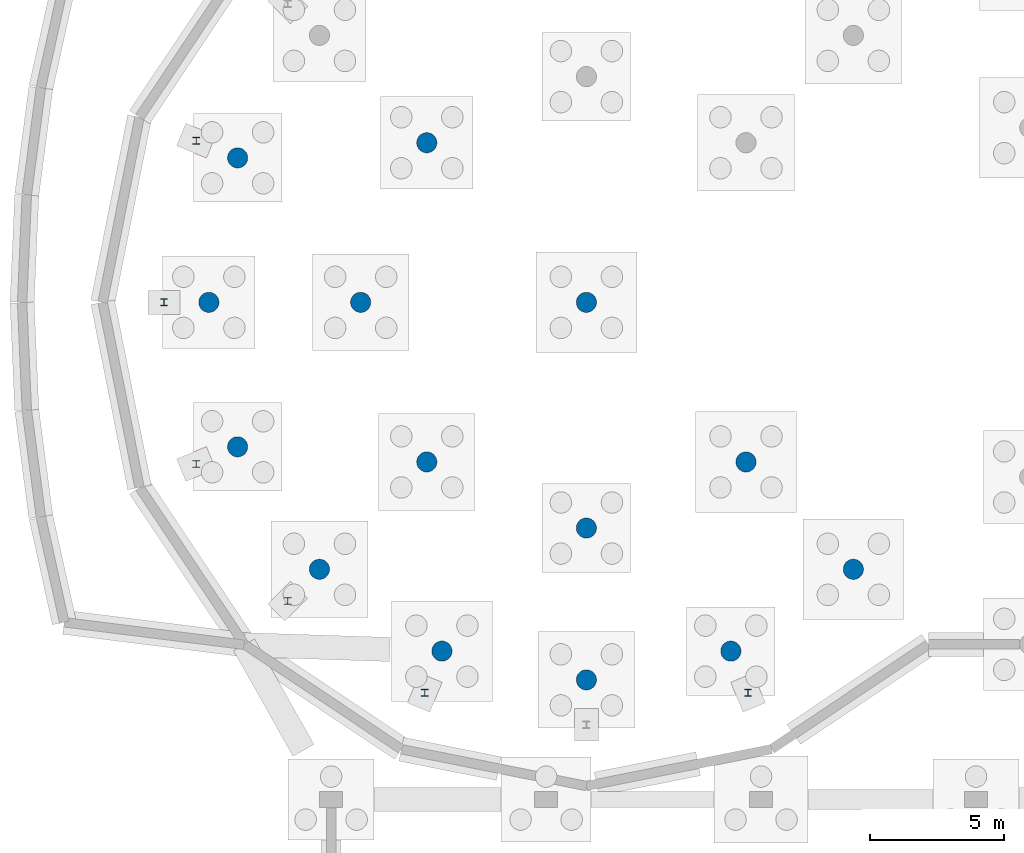
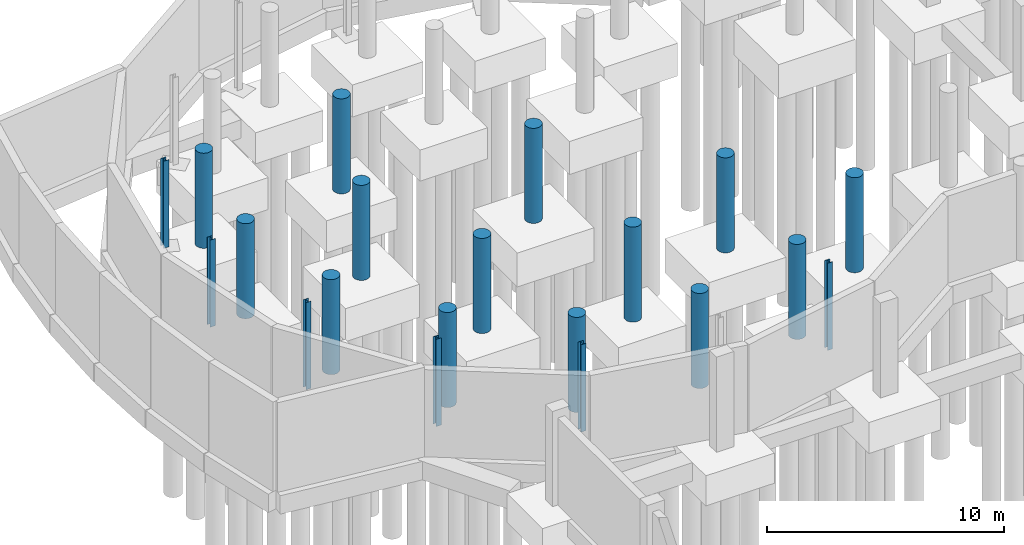
# One storey, part 20 of 51: 20 columns.
"""IFC4 building model written with IfcOpenShell, lengths in metres."""

from ifc_helpers import new_model, si_unit, direction, frame, origin, origin_2d, place, context, subcontext, project, spatial, circle, i_section, extrude, material, material_profile, profile_set, type_object, element, save


model = new_model("IFC4")

# Units and contexts
model_context = context("Model", 3, precision=1e-05, world=origin(), true_north=direction((0.0, 1.0)))
body_context = subcontext(model_context, "Body", "Model", "MODEL_VIEW")
ifc_project = project(units=[si_unit("LENGTHUNIT", "METRE"), si_unit("AREAUNIT", "SQUARE_METRE"), si_unit("VOLUMEUNIT", "CUBIC_METRE"), si_unit("PLANEANGLEUNIT", "RADIAN"), si_unit("MASSUNIT", "GRAM", prefix="KILO")], contexts=[model_context])

# Site, building, storey
site_placement = place(None, origin())
site = spatial("IfcSite", under=ifc_project, at=site_placement, CompositionType="ELEMENT")
building_placement = place(site_placement, origin())
building = spatial("IfcBuilding", under=site, at=building_placement, Name="Jelvoka-Kovrelna Polytechnic", CompositionType="ELEMENT")
storey_placement = place(building_placement, frame((0.0, 0.0, -4.5)))
storey = spatial("IfcBuildingStorey", under=building, at=storey_placement, Name="B01", CompositionType="ELEMENT", Elevation=-4.5)

# Columns
ifc_material_1 = material(Name="Concrete C40/50", Category="concrete")
ifc_material_profile_1 = material_profile(ifc_material_1, circle(Radius=0.375, at=origin_2d()), Name="RC D750")
ifc_profile_set_1 = profile_set([ifc_material_profile_1], Name="Concrete C40/50")
column_type_1 = type_object("IfcColumnType", Name="Col_RC_D750", PredefinedType="COLUMN", material=ifc_profile_set_1)
for number, where, z_axis, x_axis, name in (
    (1, (25.5, 28.449951171875, -0.405029296875), (0.0, 0.0, 1.0), (1.0, 0.0, 0.0), "B01 column 0408"),
    (2, (20.123291015625, 29.51953125, -0.405029296875), (0.0, 0.0, 1.0), (1.0, 0.0, 0.0), "B01 column 0414"),
    (3, (30.876708984375, 29.51953125, -0.405029296875), (0.0, 0.0, 1.0), (1.0, 0.0, 0.0), "B01 column 0420"),
    (4, (15.565185546875, 32.565185546875, -0.405029296875), (0.0, 0.0, 1.0), (1.0, 0.0, 0.0), "B01 column 0572"),
    (5, (35.434814453125, 32.565185546875, -0.405029296875), (0.0, 0.0, 1.0), (1.0, 0.0, 0.0), "B01 column 0578"),
    (6, (25.5, 34.10009765625, -0.405029296875), (0.0, 0.0, 1.0), (1.0, 0.0, 0.0), "B01 column 0584"),
    (7, (19.560302734375, 36.560302734375, -0.405029296875), (0.0, 0.0, 1.0), (1.0, 0.0, 0.0), "B01 column 0596"),
    (8, (31.439697265625, 36.560302734375, -0.405029296875), (0.0, 0.0, 1.0), (1.0, 0.0, 0.0), "B01 column 0602"),
    (9, (12.51953125, 37.123291015625, -0.405029296875), (0.0, 0.0, 1.0), (1.0, 0.0, 0.0), "B01 column 0608"),
    (10, (11.449951171875, 42.5, -0.405029296875), (0.0, 0.0, 1.0), (1.0, 0.0, 0.0), "B01 column 0754"),
    (11, (17.10009765625, 42.5, -0.405029296875), (0.0, 0.0, 1.0), (1.0, 0.0, 0.0), "B01 column 0760"),
    (12, (25.5, 42.5, -0.405029296875), (0.0, 0.0, 1.0), (1.0, 0.0, 0.0), "B01 column 0766"),
    (13, (12.51953125, 47.876708984375, -0.405029296875), (0.0, 0.0, 1.0), (1.0, 0.0, 0.0), "B01 column 0772"),
    (14, (19.560302734375, 48.439697265625, -0.405029296875), (0.0, 0.0, 1.0), (1.0, 0.0, 0.0), "B01 column 0918"),
):
    element("IfcColumn", number, at=place(storey_placement, frame(where, z_axis=z_axis, x_axis=x_axis)), inside=storey, type_object=column_type_1, Name=name, PredefinedType="COLUMN", context=body_context, shape_type="SweptSolid", body=[
        extrude(circle(Radius=0.375, at=origin_2d()), origin(), (0.0, 0.0, 1.0), 4.905029296875),
    ])
ifc_material_2 = material(Name="Structural steel S355JR", Category="steel")
ifc_material_profile_2 = material_profile(ifc_material_2, i_section(OverallWidth=0.254638671875, OverallDepth=0.254150390625, WebThickness=0.008544921875, FlangeThickness=0.01416015625, FilletRadius=0.0126953125, at=origin_2d()), Name="254x254x73 UC")
ifc_profile_set_2 = profile_set([ifc_material_profile_2], Name="Structural steel S355JR")
column_type_2 = type_object("IfcColumnType", Name="Col_Steel_UC254", PredefinedType="COLUMN", material=ifc_profile_set_2)
for number, where, z_axis, x_axis, name in (
    (15, (10.9765625, 48.515869140625, -0.405029296875), (0.0, 0.0, 1.0), (1.0, 0.0, 0.0), "B01 recessed rotunda gallery post 1746"),
    (16, (9.780029296875, 42.5, -0.405029296875), (0.0, 0.0, 1.0), (1.0, 0.0, 0.0), "B01 recessed rotunda gallery post 1752"),
    (17, (10.9765625, 36.484130859375, -0.405029296875), (0.0, 0.0, 1.0), (1.0, 0.0, 0.0), "B01 recessed rotunda gallery post 1758"),
    (18, (14.38427734375, 31.38427734375, -0.405029296875), (0.0, 0.0, 1.0), (1.0, 0.0, 0.0), "B01 recessed rotunda gallery post 1764"),
    (19, (19.484130859375, 27.9765625, -0.405029296875), (0.0, 0.0, 1.0), (1.0, 0.0, 0.0), "B01 recessed rotunda gallery post 1770"),
    (20, (31.515869140625, 27.9765625, -0.405029296875), (0.0, 0.0, 1.0), (1.0, 0.0, 0.0), "B01 recessed rotunda gallery post 1782"),
):
    element("IfcColumn", number, at=place(storey_placement, frame(where, z_axis=z_axis, x_axis=x_axis)), inside=storey, type_object=column_type_2, Name=name, PredefinedType="COLUMN", context=body_context, shape_type="SweptSolid", body=[
        extrude(i_section(OverallWidth=0.254638671875, OverallDepth=0.254150390625, WebThickness=0.008544921875, FlangeThickness=0.01416015625, FilletRadius=0.0126953125, at=origin_2d()), origin(), (0.0, 0.0, 1.0), 4.5),
    ])

save(model, "model.ifc")
